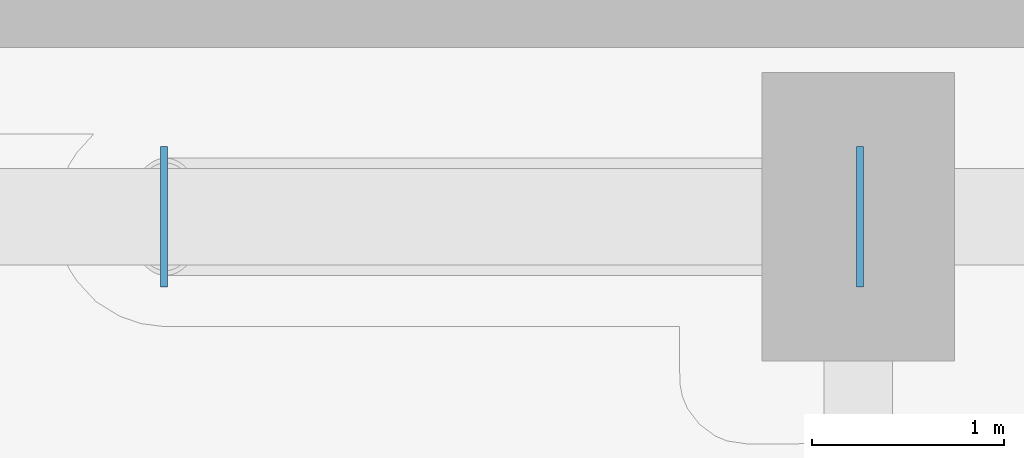
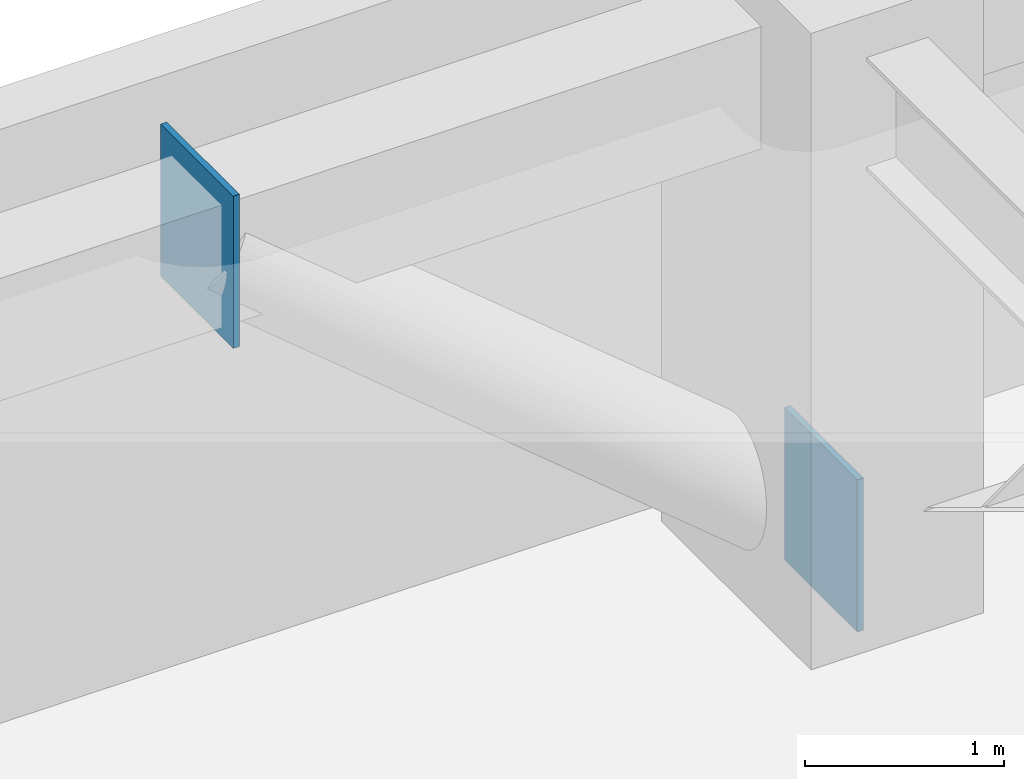
# One storey, part 21 of 28: 2 plates.
"""IFC4 building model written with IfcOpenShell, lengths in metres."""

from ifc_helpers import new_model, si_unit, direction, frame, origin, origin_2d, place, context, subcontext, project, spatial, rectangle, extrude, material, layer, layer_set, type_object, element, save


model = new_model("IFC4")

# Units and contexts
model_context = context("Model", 3, precision=1e-05, world=origin(), true_north=direction((0.0, 1.0)))
body_context = subcontext(model_context, "Body", "Model", "MODEL_VIEW")
ifc_project = project(units=[si_unit("LENGTHUNIT", "METRE"), si_unit("AREAUNIT", "SQUARE_METRE"), si_unit("VOLUMEUNIT", "CUBIC_METRE"), si_unit("PLANEANGLEUNIT", "RADIAN"), si_unit("MASSUNIT", "GRAM", prefix="KILO")], contexts=[model_context])

# Site, building, storey
site_placement = place(None, origin())
site = spatial("IfcSite", under=ifc_project, at=site_placement, CompositionType="ELEMENT")
building_placement = place(site_placement, origin())
building = spatial("IfcBuilding", under=site, at=building_placement, Name="Kiyonajd Concourse Tower", CompositionType="ELEMENT")
storey_placement = place(building_placement, frame((0.0, 0.0, 64.5)))
storey = spatial("IfcBuildingStorey", under=building, at=storey_placement, Name="L17", CompositionType="ELEMENT", Elevation=64.5)

# Plates
ifc_material = material(Name="Steel ASTM A572 Grade 50", Category="steel")
ifc_layer = layer(ifc_material, 0.028076171875)
ifc_layer_set = layer_set([ifc_layer], Name="Steel ASTM A572 Grade 50")
plate_type = type_object("IfcPlateType", Name="PL-CAP-450", PredefinedType="USERDEFINED", material=ifc_layer_set)
for number, where, z_axis, x_axis, name in (
    (1, (63.6083984375, 61.199951171875, -0.173583984375), (0.0, 0.0, 1.0), (1.0, 0.0, 0.0), "L17 Hollow Brace End Cap Plate PBN"),
    (2, (59.991455078125, 61.199951171875, 2.83056640625), (0.0, 0.0, 1.0), (-1.0, 0.0, 0.0), "L17 Hollow Brace Top Cap Plate PBN"),
):
    element("IfcPlate", number, at=place(storey_placement, frame(where, z_axis=z_axis, x_axis=x_axis)), inside=storey, type_object=plate_type, Name=name, ObjectType="CAP PLATE", PredefinedType="USERDEFINED", context=body_context, shape_type="SweptSolid", body=[
        extrude(rectangle(XDim=0.035888671875, YDim=0.72998046875, at=origin_2d()), origin(), (0.0, 0.0, 1.0), 0.93310546875),
    ])

save(model, "model.ifc")
